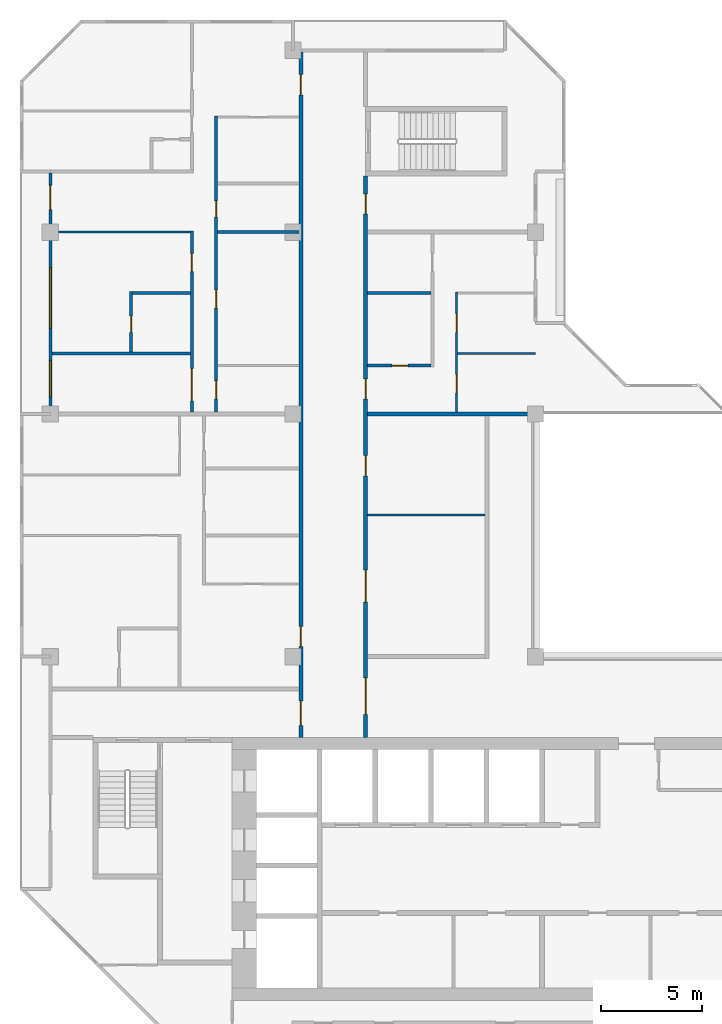
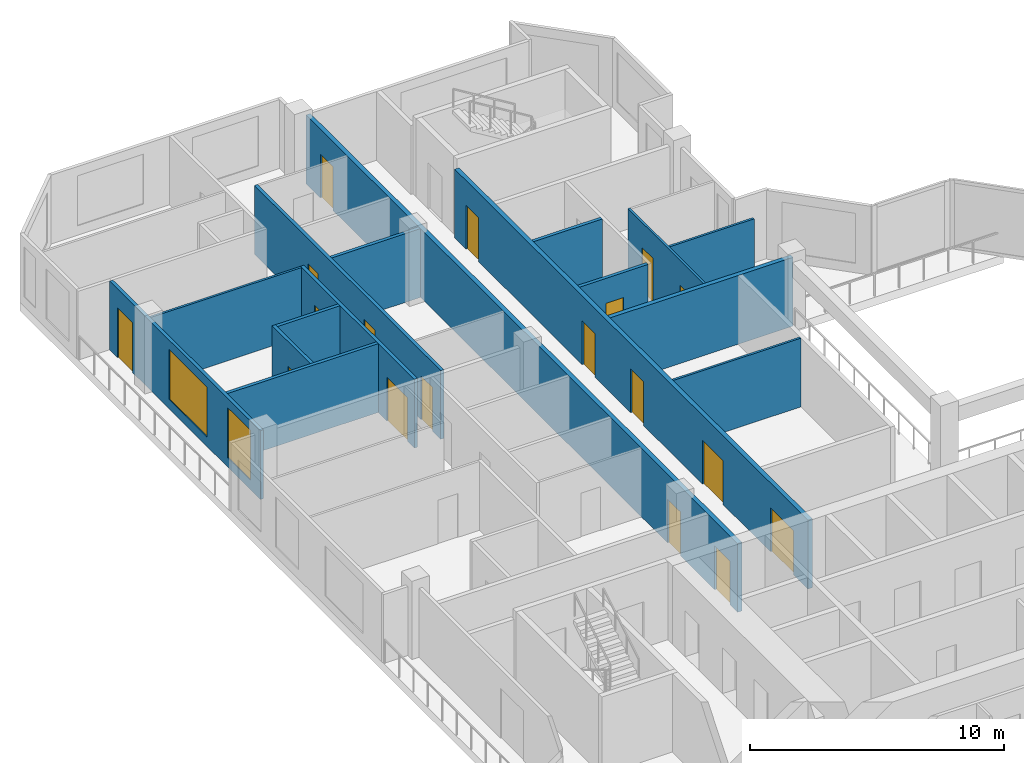
# One storey, part 9 of 13: 18 doors, 16 walls, 2 windows, 20 openings.
"""IFC4 building model written with IfcOpenShell, lengths in metres."""

from ifc_helpers import new_model, si_unit, direction, frame, frame_2d, origin, place, context, subcontext, project, spatial, rectangle, extrude, material, layer, layer_set, type_object, element, fill, save


model = new_model("IFC4")

# Units and contexts
model_context = context("Model", 3, precision=1e-05, world=origin(), true_north=direction((0.0, 1.0)))
body_context = subcontext(model_context, "Body", "Model", "MODEL_VIEW")
ifc_project = project(units=[si_unit("LENGTHUNIT", "METRE"), si_unit("AREAUNIT", "SQUARE_METRE"), si_unit("VOLUMEUNIT", "CUBIC_METRE"), si_unit("PLANEANGLEUNIT", "RADIAN"), si_unit("MASSUNIT", "GRAM", prefix="KILO")], contexts=[model_context])

# Site, building, storey
site_placement = place(None, origin())
site = spatial("IfcSite", under=ifc_project, at=site_placement, CompositionType="ELEMENT")
building_placement = place(site_placement, origin())
building = spatial("IfcBuilding", under=site, at=building_placement, Name="Chenar Terraces", CompositionType="ELEMENT")
storey_placement = place(building_placement, frame((0.0, 0.0, 318.39990234375)))
storey = spatial("IfcBuildingStorey", under=building, at=storey_placement, Name="L75", CompositionType="ELEMENT", Elevation=318.39990234375)

# Wall, openings, doors
ifc_material_1 = material(Name="Gypsum board on steel studs with fire boards", Category="steel")
ifc_layer_1 = layer(ifc_material_1, 0.199951171875)
ifc_layer_set_1 = layer_set([ifc_layer_1], Name="Gypsum board on steel studs with fire boards")
wall_type_1 = type_object("IfcWallType", Name="Corridor wall 200", PredefinedType="PARTITIONING", material=ifc_layer_set_1)
wall_1_placement = place(storey_placement, frame((12.39990234375, 20.0, 0.0), z_axis=(0.0, 0.0, 1.0), x_axis=(0.0, 1.0, 0.0)))
wall_1 = element("IfcWall", 1, at=wall_1_placement, inside=storey, type_object=wall_type_1, Name="Partition L75-034", PredefinedType="PARTITIONING", context=body_context, shape_type="SweptSolid", body=[
    extrude(rectangle(XDim=33.926025390625, YDim=0.199951171875, at=frame_2d((16.962890625, 0.0))), origin(), (0.0, 0.0, 1.0), 3.300048828125),
])
opening_1_placement = place(wall_1_placement, frame((31.800048828125, 0.0, 0.0)))
opening_1 = element("IfcOpeningElement", 2, at=opening_1_placement, cuts=wall_1, Name="Opening DL75-23", PredefinedType="OPENING", context=body_context, shape_type="SweptSolid", body=[
    extrude(rectangle(XDim=1.0, YDim=2.10009765625, at=frame_2d((0.5, 1.050048828125))), frame((0.0, 0.10986328125, 0.0), z_axis=(0.0, -1.0, 0.0), x_axis=(1.0, 0.0, 0.0)), (0.0, 0.0, 1.0), 0.219970703125),
])
opening_2_placement = place(wall_1_placement, frame((0.60009765625, 0.0, 0.0)))
opening_2 = element("IfcOpeningElement", 3, at=opening_2_placement, cuts=wall_1, Name="Opening DL75-31", PredefinedType="OPENING", context=body_context, shape_type="SweptSolid", body=[
    extrude(rectangle(XDim=1.199951171875, YDim=2.10009765625, at=frame_2d((0.60009765625, 1.050048828125))), frame((0.0, 0.10986328125, 0.0), z_axis=(0.0, -1.0, 0.0), x_axis=(1.0, 0.0, 0.0)), (0.0, 0.0, 1.0), 0.219970703125),
])
opening_3_placement = place(wall_1_placement, frame((4.5, 0.0, 0.0)))
opening_3 = element("IfcOpeningElement", 4, at=opening_3_placement, cuts=wall_1, Name="Opening DL75-55", PredefinedType="OPENING", context=body_context, shape_type="SweptSolid", body=[
    extrude(rectangle(XDim=1.0, YDim=2.10009765625, at=frame_2d((0.5, 1.050048828125))), frame((0.0, 0.10986328125, 0.0), z_axis=(0.0, -1.0, 0.0), x_axis=(1.0, 0.0, 0.0)), (0.0, 0.0, 1.0), 0.219970703125),
])
ifc_material_2 = material(Name="Steel-framed fire-resisting door leaf", Category="steel")
door_type_1 = type_object("IfcDoorType", Name="Fire door FD30S 1000 x 2100", OperationType="SINGLE_SWING_LEFT", PredefinedType="DOOR", material=ifc_material_2)
door_1_placement = place(opening_1_placement, origin())
door_1 = element("IfcDoor", 5, at=door_1_placement, inside=storey, type_object=door_type_1, Name="Door DL75-23", OperationType="SINGLE_SWING_RIGHT", OverallHeight=2.10009765625, OverallWidth=1.0, PredefinedType="DOOR", context=body_context, shape_type="SweptSolid", body=[
    extrude(rectangle(XDim=1.0, YDim=2.10009765625, at=frame_2d((0.5, 1.050048828125))), frame((0.0, 0.02490234375, 0.0), z_axis=(0.0, -1.0, 0.0), x_axis=(1.0, 0.0, 0.0)), (0.0, 0.0, 1.0), 0.050048828125),
])
fill(opening_1, door_1)
door_2_placement = place(opening_3_placement, origin())
door_2 = element("IfcDoor", 6, at=door_2_placement, inside=storey, type_object=door_type_1, Name="Door DL75-55", OperationType="SINGLE_SWING_LEFT", OverallHeight=2.10009765625, OverallWidth=1.0, PredefinedType="DOOR", context=body_context, shape_type="SweptSolid", body=[
    extrude(rectangle(XDim=1.0, YDim=2.10009765625, at=frame_2d((0.5, 1.050048828125))), frame((0.0, 0.02490234375, 0.0), z_axis=(0.0, -1.0, 0.0), x_axis=(1.0, 0.0, 0.0)), (0.0, 0.0, 1.0), 0.050048828125),
])
fill(opening_3, door_2)
ifc_material_3 = material(Name="Steel-framed fire-resisting door leaf", Category="steel")
door_type_2 = type_object("IfcDoorType", Name="Fire door FD30S 1200 x 2100", OperationType="SINGLE_SWING_LEFT", PredefinedType="DOOR", material=ifc_material_3)
door_3_placement = place(opening_2_placement, origin())
door_3 = element("IfcDoor", 7, at=door_3_placement, inside=storey, type_object=door_type_2, Name="Door DL75-31", OperationType="SINGLE_SWING_RIGHT", OverallHeight=2.10009765625, OverallWidth=1.199951171875, PredefinedType="DOOR", context=body_context, shape_type="SweptSolid", body=[
    extrude(rectangle(XDim=1.199951171875, YDim=2.10009765625, at=frame_2d((0.60009765625, 1.050048828125))), frame((0.0, 0.02490234375, 0.0), z_axis=(0.0, -1.0, 0.0), x_axis=(1.0, 0.0, 0.0)), (0.0, 0.0, 1.0), 0.050048828125),
])
fill(opening_2, door_3)

wall_2_placement = place(storey_placement, frame((15.60009765625, 20.0, 0.0), z_axis=(0.0, 0.0, 1.0), x_axis=(0.0, 1.0, 0.0)))
wall_2 = element("IfcWall", 8, at=wall_2_placement, inside=storey, type_object=wall_type_1, Name="Partition L75-036", PredefinedType="PARTITIONING", context=body_context, shape_type="SweptSolid", body=[
    extrude(rectangle(XDim=27.77490234375, YDim=0.199951171875, at=frame_2d((13.887451171875, 0.0))), origin(), (0.0, 0.0, 1.0), 3.300048828125),
])
opening_4_placement = place(wall_2_placement, frame((6.699951171875, 0.0, 0.0)))
opening_4 = element("IfcOpeningElement", 9, at=opening_4_placement, cuts=wall_2, Name="Opening DL75-1", PredefinedType="OPENING", context=body_context, shape_type="SweptSolid", body=[
    extrude(rectangle(XDim=1.60009765625, YDim=2.10009765625, at=frame_2d((0.800048828125, 1.050048828125))), frame((0.0, 0.10986328125, 0.0), z_axis=(0.0, -1.0, 0.0), x_axis=(1.0, 0.0, 0.0)), (0.0, 0.0, 1.0), 0.219970703125),
])
opening_5_placement = place(wall_2_placement, frame((12.949951171875, 0.0, 0.0)))
opening_5 = element("IfcOpeningElement", 10, at=opening_5_placement, cuts=wall_2, Name="Opening DL75-2", PredefinedType="OPENING", context=body_context, shape_type="SweptSolid", body=[
    extrude(rectangle(XDim=1.0, YDim=2.10009765625, at=frame_2d((0.5, 1.050048828125))), frame((0.0, 0.10986328125, 0.0), z_axis=(0.0, -1.0, 0.0), x_axis=(1.0, 0.0, 0.0)), (0.0, 0.0, 1.0), 0.219970703125),
])
opening_6_placement = place(wall_2_placement, frame((16.75, 0.0, 0.0)))
opening_6 = element("IfcOpeningElement", 11, at=opening_6_placement, cuts=wall_2, Name="Opening DL75-17", PredefinedType="OPENING", context=body_context, shape_type="SweptSolid", body=[
    extrude(rectangle(XDim=1.0, YDim=2.10009765625, at=frame_2d((0.5, 1.050048828125))), frame((0.0, 0.10986328125, 0.0), z_axis=(0.0, -1.0, 0.0), x_axis=(1.0, 0.0, 0.0)), (0.0, 0.0, 1.0), 0.219970703125),
])
opening_7_placement = place(wall_2_placement, frame((1.14990234375, 0.0, 0.0)))
opening_7 = element("IfcOpeningElement", 12, at=opening_7_placement, cuts=wall_2, Name="Opening DL75-30", PredefinedType="OPENING", context=body_context, shape_type="SweptSolid", body=[
    extrude(rectangle(XDim=1.800048828125, YDim=2.10009765625, at=frame_2d((0.89990234375, 1.050048828125))), frame((0.0, 0.10986328125, 0.0), z_axis=(0.0, -1.0, 0.0), x_axis=(1.0, 0.0, 0.0)), (0.0, 0.0, 1.0), 0.219970703125),
])
opening_8_placement = place(wall_2_placement, frame((25.89990234375, 0.0, 0.0)))
opening_8 = element("IfcOpeningElement", 13, at=opening_8_placement, cuts=wall_2, Name="Opening DL75-33", PredefinedType="OPENING", context=body_context, shape_type="SweptSolid", body=[
    extrude(rectangle(XDim=1.0, YDim=2.10009765625, at=frame_2d((0.5, 1.050048828125))), frame((0.0, 0.10986328125, 0.0), z_axis=(0.0, -1.0, 0.0), x_axis=(1.0, 0.0, 0.0)), (0.0, 0.0, 1.0), 0.219970703125),
])
ifc_material_4 = material(Name="Steel-framed fire-resisting door leaf", Category="steel")
door_type_3 = type_object("IfcDoorType", Name="Fire door FD60 1000 x 2100", OperationType="SINGLE_SWING_LEFT", PredefinedType="DOOR", material=ifc_material_4)
door_4_placement = place(opening_5_placement, frame((1.0, 0.0, 0.0), z_axis=(0.0, 0.0, 1.0), x_axis=(-1.0, 0.0, 0.0)))
door_4 = element("IfcDoor", 14, at=door_4_placement, inside=storey, type_object=door_type_3, Name="Door DL75-2", OperationType="SINGLE_SWING_LEFT", OverallHeight=2.10009765625, OverallWidth=1.0, PredefinedType="DOOR", context=body_context, shape_type="SweptSolid", body=[
    extrude(rectangle(XDim=1.0, YDim=2.10009765625, at=frame_2d((0.5, 1.050048828125))), frame((0.0, 0.02490234375, 0.0), z_axis=(0.0, -1.0, 0.0), x_axis=(1.0, 0.0, 0.0)), (0.0, 0.0, 1.0), 0.050048828125),
])
fill(opening_5, door_4)
door_5_placement = place(opening_6_placement, frame((1.0, 0.0, 0.0), z_axis=(0.0, 0.0, 1.0), x_axis=(-1.0, 0.0, 0.0)))
door_5 = element("IfcDoor", 15, at=door_5_placement, inside=storey, type_object=door_type_3, Name="Door DL75-17", OperationType="SINGLE_SWING_LEFT", OverallHeight=2.10009765625, OverallWidth=1.0, PredefinedType="DOOR", context=body_context, shape_type="SweptSolid", body=[
    extrude(rectangle(XDim=1.0, YDim=2.10009765625, at=frame_2d((0.5, 1.050048828125))), frame((0.0, 0.02490234375, 0.0), z_axis=(0.0, -1.0, 0.0), x_axis=(1.0, 0.0, 0.0)), (0.0, 0.0, 1.0), 0.050048828125),
])
fill(opening_6, door_5)
door_6_placement = place(opening_8_placement, frame((1.0, 0.0, 0.0), z_axis=(0.0, 0.0, 1.0), x_axis=(-1.0, 0.0, 0.0)))
door_6 = element("IfcDoor", 16, at=door_6_placement, inside=storey, type_object=door_type_3, Name="Door DL75-33", OperationType="SINGLE_SWING_RIGHT", OverallHeight=2.10009765625, OverallWidth=1.0, PredefinedType="DOOR", context=body_context, shape_type="SweptSolid", body=[
    extrude(rectangle(XDim=1.0, YDim=2.10009765625, at=frame_2d((0.5, 1.050048828125))), frame((0.0, 0.02490234375, 0.0), z_axis=(0.0, -1.0, 0.0), x_axis=(1.0, 0.0, 0.0)), (0.0, 0.0, 1.0), 0.050048828125),
])
fill(opening_8, door_6)
ifc_material_5 = material(Name="Steel-framed fire-resisting door leaf", Category="steel")
door_type_4 = type_object("IfcDoorType", Name="Fire double door FD60 1600 x 2100", OperationType="DOUBLE_DOOR_SINGLE_SWING", PredefinedType="DOOR", material=ifc_material_5)
door_7_placement = place(opening_4_placement, frame((1.60009765625, 0.0, 0.0), z_axis=(0.0, 0.0, 1.0), x_axis=(-1.0, 0.0, 0.0)))
door_7 = element("IfcDoor", 17, at=door_7_placement, inside=storey, type_object=door_type_4, Name="Door DL75-1", OperationType="DOUBLE_DOOR_SINGLE_SWING", OverallHeight=2.10009765625, OverallWidth=1.60009765625, PredefinedType="DOOR", context=body_context, shape_type="SweptSolid", body=[
    extrude(rectangle(XDim=1.60009765625, YDim=2.10009765625, at=frame_2d((0.800048828125, 1.050048828125))), frame((0.0, 0.02490234375, 0.0), z_axis=(0.0, -1.0, 0.0), x_axis=(1.0, 0.0, 0.0)), (0.0, 0.0, 1.0), 0.050048828125),
])
fill(opening_4, door_7)
ifc_material_6 = material(Name="Steel-framed fire-resisting door leaf", Category="steel")
door_type_5 = type_object("IfcDoorType", Name="Fire double door FD60 1800 x 2100", OperationType="DOUBLE_DOOR_SINGLE_SWING", PredefinedType="DOOR", material=ifc_material_6)
door_8_placement = place(opening_7_placement, frame((1.800048828125, 0.0, 0.0), z_axis=(0.0, 0.0, 1.0), x_axis=(-1.0, 0.0, 0.0)))
door_8 = element("IfcDoor", 18, at=door_8_placement, inside=storey, type_object=door_type_5, Name="Door DL75-30", OperationType="DOUBLE_DOOR_SINGLE_SWING", OverallHeight=2.10009765625, OverallWidth=1.800048828125, PredefinedType="DOOR", context=body_context, shape_type="SweptSolid", body=[
    extrude(rectangle(XDim=1.800048828125, YDim=2.10009765625, at=frame_2d((0.89990234375, 1.050048828125))), frame((0.0, 0.02490234375, 0.0), z_axis=(0.0, -1.0, 0.0), x_axis=(1.0, 0.0, 0.0)), (0.0, 0.0, 1.0), 0.050048828125),
])
fill(opening_7, door_8)

# Wall, openings, windows, door
ifc_material_7 = material(Name="Aluminium framed glazing", Category="aluminium")
ifc_layer_2 = layer(ifc_material_7, 0.14990234375)
ifc_layer_set_2 = layer_set([ifc_layer_2], Name="Aluminium framed glazing")
wall_type_2 = type_object("IfcWallType", Name="Glazed loggia back wall 150", PredefinedType="SOLIDWALL", material=ifc_layer_set_2)
wall_3_placement = place(storey_placement, frame((0.0, 47.925048828125, 0.0), z_axis=(0.0, 0.0, 1.0), x_axis=(0.0, -1.0, 0.0)))
wall_3 = element("IfcWall", 19, at=wall_3_placement, inside=storey, type_object=wall_type_2, Name="Glazed loggia back wall", PredefinedType="SOLIDWALL", context=body_context, shape_type="SweptSolid", body=[
    extrude(rectangle(XDim=11.85009765625, YDim=0.14990234375, at=frame_2d((5.925048828125, 0.0))), origin(), (0.0, 0.0, 1.0), 3.300048828125),
])
opening_9_placement = place(wall_3_placement, frame((0.612548828125, 0.0, 0.0)))
opening_9 = element("IfcOpeningElement", 20, at=opening_9_placement, cuts=wall_3, Name="Opening DL75-G2", PredefinedType="OPENING", context=body_context, shape_type="SweptSolid", body=[
    extrude(rectangle(XDim=1.199951171875, YDim=2.39990234375, at=frame_2d((0.60009765625, 1.199951171875))), frame((0.0, 0.0849609375, 0.0), z_axis=(0.0, -1.0, 0.0), x_axis=(1.0, 0.0, 0.0)), (0.0, 0.0, 1.0), 0.169921875),
])
opening_10_placement = place(wall_3_placement, frame((4.675048828125, 0.0, 0.449951171875)))
opening_10 = element("IfcOpeningElement", 21, at=opening_10_placement, cuts=wall_3, Name="Opening W300x240", PredefinedType="OPENING", context=body_context, shape_type="SweptSolid", body=[
    extrude(rectangle(XDim=3.0, YDim=2.39990234375, at=frame_2d((1.5, 1.199951171875))), frame((0.0, 0.0849609375, 0.0), z_axis=(0.0, -1.0, 0.0), x_axis=(1.0, 0.0, 0.0)), (0.0, 0.0, 1.0), 0.169921875),
])
opening_11_placement = place(wall_3_placement, frame((9.27490234375, 0.0, 0.449951171875)))
opening_11 = element("IfcOpeningElement", 22, at=opening_11_placement, cuts=wall_3, Name="Opening W180x240", PredefinedType="OPENING", context=body_context, shape_type="SweptSolid", body=[
    extrude(rectangle(XDim=1.800048828125, YDim=2.39990234375, at=frame_2d((0.89990234375, 1.199951171875))), frame((0.0, 0.0849609375, 0.0), z_axis=(0.0, -1.0, 0.0), x_axis=(1.0, 0.0, 0.0)), (0.0, 0.0, 1.0), 0.169921875),
])
ifc_material_8 = material(Name="Low emissivity double glazing, aluminium frame", Category="aluminium")
window_type_1 = type_object("IfcWindowType", Name="Fixed light 1800 x 2400", PartitioningType="SINGLE_PANEL", PredefinedType="WINDOW", material=ifc_material_8)
window_1_placement = place(opening_11_placement, origin())
window_1 = element("IfcWindow", 23, at=window_1_placement, inside=storey, type_object=window_type_1, Name="Window", OverallHeight=2.39990234375, OverallWidth=1.800048828125, PartitioningType="SINGLE_PANEL", PredefinedType="WINDOW", context=body_context, shape_type="SweptSolid", body=[
    extrude(rectangle(XDim=1.800048828125, YDim=2.39990234375, at=frame_2d((0.89990234375, 1.199951171875))), frame((0.0, 0.030029296875, 0.0), z_axis=(0.0, -1.0, 0.0), x_axis=(1.0, 0.0, 0.0)), (0.0, 0.0, 1.0), 0.06005859375),
])
fill(opening_11, window_1)
ifc_material_9 = material(Name="Low emissivity double glazing, aluminium frame", Category="aluminium")
window_type_2 = type_object("IfcWindowType", Name="Fixed light 3000 x 2400", PartitioningType="SINGLE_PANEL", PredefinedType="WINDOW", material=ifc_material_9)
window_2_placement = place(opening_10_placement, origin())
window_2 = element("IfcWindow", 24, at=window_2_placement, inside=storey, type_object=window_type_2, Name="Window", OverallHeight=2.39990234375, OverallWidth=3.0, PartitioningType="SINGLE_PANEL", PredefinedType="WINDOW", context=body_context, shape_type="SweptSolid", body=[
    extrude(rectangle(XDim=3.0, YDim=2.39990234375, at=frame_2d((1.5, 1.199951171875))), frame((0.0, 0.030029296875, 0.0), z_axis=(0.0, -1.0, 0.0), x_axis=(1.0, 0.0, 0.0)), (0.0, 0.0, 1.0), 0.06005859375),
])
fill(opening_10, window_2)
ifc_material_10 = material(Name="Low emissivity double glazing, aluminium frame", Category="aluminium")
door_type_6 = type_object("IfcDoorType", Name="Loggia glazed double door 1200 x 2400", OperationType="DOUBLE_DOOR_SINGLE_SWING", PredefinedType="DOOR", material=ifc_material_10)
door_9_placement = place(opening_9_placement, frame((1.199951171875, 0.0, 0.0), z_axis=(0.0, 0.0, 1.0), x_axis=(-1.0, 0.0, 0.0)))
door_9 = element("IfcDoor", 25, at=door_9_placement, inside=storey, type_object=door_type_6, Name="Loggia glazed door", OperationType="DOUBLE_DOOR_SINGLE_SWING", OverallHeight=2.39990234375, OverallWidth=1.199951171875, PredefinedType="DOOR", context=body_context, shape_type="SweptSolid", body=[
    extrude(rectangle(XDim=1.199951171875, YDim=2.39990234375, at=frame_2d((0.60009765625, 1.199951171875))), frame((0.0, 0.02490234375, 0.0), z_axis=(0.0, -1.0, 0.0), x_axis=(1.0, 0.0, 0.0)), (0.0, 0.0, 1.0), 0.050048828125),
])
fill(opening_9, door_9)

# Walls
ifc_material_11 = material(Name="Gypsum board on steel studs", Category="steel")
ifc_layer_3 = layer(ifc_material_11, 0.10009765625)
ifc_layer_set_3 = layer_set([ifc_layer_3], Name="Gypsum board on steel studs")
wall_type_3 = type_object("IfcWallType", Name="Gypsum partition 100", PredefinedType="PARTITIONING", material=ifc_layer_set_3)
wall_4_placement = place(storey_placement, frame((0.073974609375, 45.0, 0.0), z_axis=(0.0, 0.0, 1.0), x_axis=(1.0, 0.0, 0.0)))
element("IfcWall", 26, at=wall_4_placement, inside=storey, type_object=wall_type_3, Name="Partition L75-009", PredefinedType="PARTITIONING", context=body_context, shape_type="SweptSolid", body=[
    extrude(rectangle(XDim=6.85107421875, YDim=0.10009765625, at=frame_2d((3.425537109375, 0.0))), origin(), (0.0, 0.0, 1.0), 3.300048828125),
])
wall_5_placement = place(storey_placement, frame((15.699951171875, 31.0, 0.0), z_axis=(0.0, 0.0, 1.0), x_axis=(1.0, 0.0, 0.0)))
element("IfcWall", 27, at=wall_5_placement, inside=storey, type_object=wall_type_3, Name="Partition L75-039", PredefinedType="PARTITIONING", context=body_context, shape_type="SweptSolid", body=[
    extrude(rectangle(XDim=5.800048828125, YDim=0.10009765625, at=frame_2d((2.89990234375, 0.0))), origin(), (0.0, 0.0, 1.0), 3.300048828125),
])

# Wall, openings, doors
wall_6_placement = place(storey_placement, frame((20.10009765625, 36.10009765625, 0.0), z_axis=(0.0, 0.0, 1.0), x_axis=(0.0, 1.0, 0.0)))
wall_6 = element("IfcWall", 28, at=wall_6_placement, inside=storey, type_object=wall_type_3, Name="Partition L75-047", PredefinedType="PARTITIONING", context=body_context, shape_type="SweptSolid", body=[
    extrude(rectangle(XDim=5.949951171875, YDim=0.10009765625, at=frame_2d((2.97509765625, 0.0))), origin(), (0.0, 0.0, 1.0), 3.300048828125),
])
opening_12_placement = place(wall_6_placement, frame((0.949951171875, 0.0, 0.0)))
opening_12 = element("IfcOpeningElement", 29, at=opening_12_placement, cuts=wall_6, Name="Opening DL75-14", PredefinedType="OPENING", context=body_context, shape_type="SweptSolid", body=[
    extrude(rectangle(XDim=0.89990234375, YDim=2.10009765625, at=frame_2d((0.449951171875, 1.050048828125))), frame((0.0, 0.06005859375, 0.0), z_axis=(0.0, -1.0, 0.0), x_axis=(1.0, 0.0, 0.0)), (0.0, 0.0, 1.0), 0.1201171875),
])
opening_13_placement = place(wall_6_placement, frame((3.949951171875, 0.0, 0.0)))
opening_13 = element("IfcOpeningElement", 30, at=opening_13_placement, cuts=wall_6, Name="Opening DL75-15", PredefinedType="OPENING", context=body_context, shape_type="SweptSolid", body=[
    extrude(rectangle(XDim=0.89990234375, YDim=2.10009765625, at=frame_2d((0.449951171875, 1.050048828125))), frame((0.0, 0.06005859375, 0.0), z_axis=(0.0, -1.0, 0.0), x_axis=(1.0, 0.0, 0.0)), (0.0, 0.0, 1.0), 0.1201171875),
])
ifc_material_12 = material(Name="Veneered timber door leaf", Category="wood")
door_type_7 = type_object("IfcDoorType", Name="Door 900 x 2100", OperationType="SINGLE_SWING_LEFT", PredefinedType="DOOR", material=ifc_material_12)
door_10_placement = place(opening_12_placement, frame((0.89990234375, 0.0, 0.0), z_axis=(0.0, 0.0, 1.0), x_axis=(-1.0, 0.0, 0.0)))
door_10 = element("IfcDoor", 31, at=door_10_placement, inside=storey, type_object=door_type_7, Name="Door DL75-14", OperationType="SINGLE_SWING_LEFT", OverallHeight=2.10009765625, OverallWidth=0.89990234375, PredefinedType="DOOR", context=body_context, shape_type="SweptSolid", body=[
    extrude(rectangle(XDim=0.89990234375, YDim=2.10009765625, at=frame_2d((0.449951171875, 1.050048828125))), frame((0.0, 0.02490234375, 0.0), z_axis=(0.0, -1.0, 0.0), x_axis=(1.0, 0.0, 0.0)), (0.0, 0.0, 1.0), 0.050048828125),
])
fill(opening_12, door_10)
door_11_placement = place(opening_13_placement, frame((0.89990234375, 0.0, 0.0), z_axis=(0.0, 0.0, 1.0), x_axis=(-1.0, 0.0, 0.0)))
door_11 = element("IfcDoor", 32, at=door_11_placement, inside=storey, type_object=door_type_7, Name="Door DL75-15", OperationType="SINGLE_SWING_LEFT", OverallHeight=2.10009765625, OverallWidth=0.89990234375, PredefinedType="DOOR", context=body_context, shape_type="SweptSolid", body=[
    extrude(rectangle(XDim=0.89990234375, YDim=2.10009765625, at=frame_2d((0.449951171875, 1.050048828125))), frame((0.0, 0.02490234375, 0.0), z_axis=(0.0, -1.0, 0.0), x_axis=(1.0, 0.0, 0.0)), (0.0, 0.0, 1.0), 0.050048828125),
])
fill(opening_13, door_11)

# Walls
wall_7_placement = place(storey_placement, frame((20.14990234375, 39.0, 0.0), z_axis=(0.0, 0.0, 1.0), x_axis=(1.0, 0.0, 0.0)))
element("IfcWall", 33, at=wall_7_placement, inside=storey, type_object=wall_type_3, Name="Partition L75-048", PredefinedType="PARTITIONING", context=body_context, shape_type="SweptSolid", body=[
    extrude(rectangle(XDim=3.85009765625, YDim=0.10009765625, at=frame_2d((1.925048828125, 0.0))), origin(), (0.0, 0.0, 1.0), 3.300048828125),
])
ifc_material_13 = material(Name="Twin gypsum board on steel studs with mineral wool", Category="steel")
ifc_layer_4 = layer(ifc_material_13, 0.199951171875)
ifc_layer_set_4 = layer_set([ifc_layer_4], Name="Twin gypsum board on steel studs with mineral wool")
wall_type_4 = type_object("IfcWallType", Name="Unit demising wall 200", PredefinedType="PARTITIONING", material=ifc_layer_set_4)
wall_8_placement = place(storey_placement, frame((15.699951171875, 36.0, 0.0), z_axis=(0.0, 0.0, 1.0), x_axis=(1.0, 0.0, 0.0)))
element("IfcWall", 34, at=wall_8_placement, inside=storey, type_object=wall_type_4, Name="Partition L75-040", PredefinedType="PARTITIONING", context=body_context, shape_type="SweptSolid", body=[
    extrude(rectangle(XDim=8.300048828125, YDim=0.199951171875, at=frame_2d((4.14990234375, 0.0))), origin(), (0.0, 0.0, 1.0), 3.300048828125),
])
ifc_material_14 = material(Name="Moisture-resistant gypsum board on steel studs", Category="steel")
ifc_layer_5 = layer(ifc_material_14, 0.14990234375)
ifc_layer_set_5 = layer_set([ifc_layer_5], Name="Moisture-resistant gypsum board on steel studs")
wall_type_5 = type_object("IfcWallType", Name="Wet-room partition 150", PredefinedType="PARTITIONING", material=ifc_layer_set_5)
wall_9_placement = place(storey_placement, frame((0.073974609375, 39.0, 0.0), z_axis=(0.0, 0.0, 1.0), x_axis=(1.0, 0.0, 0.0)))
element("IfcWall", 35, at=wall_9_placement, inside=storey, type_object=wall_type_5, Name="Partition L75-008", PredefinedType="PARTITIONING", context=body_context, shape_type="SweptSolid", body=[
    extrude(rectangle(XDim=6.85107421875, YDim=0.14990234375, at=frame_2d((3.425537109375, 0.0))), origin(), (0.0, 0.0, 1.0), 3.300048828125),
])

# Wall, opening, door
wall_10_placement = place(storey_placement, frame((4.0, 39.074951171875, 0.0), z_axis=(0.0, 0.0, 1.0), x_axis=(0.0, 1.0, 0.0)))
wall_10 = element("IfcWall", 36, at=wall_10_placement, inside=storey, type_object=wall_type_5, Name="Partition L75-013", PredefinedType="PARTITIONING", context=body_context, shape_type="SweptSolid", body=[
    extrude(rectangle(XDim=3.0, YDim=0.14990234375, at=frame_2d((1.5, 0.0))), origin(), (0.0, 0.0, 1.0), 3.300048828125),
])
opening_14_placement = place(wall_10_placement, frame((0.97509765625, 0.0, 0.0)))
opening_14 = element("IfcOpeningElement", 37, at=opening_14_placement, cuts=wall_10, Name="Opening DL75-21", PredefinedType="OPENING", context=body_context, shape_type="SweptSolid", body=[
    extrude(rectangle(XDim=0.800048828125, YDim=2.10009765625, at=frame_2d((0.39990234375, 1.050048828125))), frame((0.0, 0.0849609375, 0.0), z_axis=(0.0, -1.0, 0.0), x_axis=(1.0, 0.0, 0.0)), (0.0, 0.0, 1.0), 0.169921875),
])
ifc_material_15 = material(Name="Veneered timber door leaf", Category="wood")
door_type_8 = type_object("IfcDoorType", Name="Door 800 x 2100", OperationType="SINGLE_SWING_LEFT", PredefinedType="DOOR", material=ifc_material_15)
door_12_placement = place(opening_14_placement, frame((0.800048828125, 0.0, 0.0), z_axis=(0.0, 0.0, 1.0), x_axis=(-1.0, 0.0, 0.0)))
door_12 = element("IfcDoor", 38, at=door_12_placement, inside=storey, type_object=door_type_8, Name="Door DL75-21", OperationType="SINGLE_SWING_RIGHT", OverallHeight=2.10009765625, OverallWidth=0.800048828125, PredefinedType="DOOR", context=body_context, shape_type="SweptSolid", body=[
    extrude(rectangle(XDim=0.800048828125, YDim=2.10009765625, at=frame_2d((0.39990234375, 1.050048828125))), frame((0.0, 0.02490234375, 0.0), z_axis=(0.0, -1.0, 0.0), x_axis=(1.0, 0.0, 0.0)), (0.0, 0.0, 1.0), 0.050048828125),
])
fill(opening_14, door_12)

# Wall
wall_11_placement = place(storey_placement, frame((4.074951171875, 42.0, 0.0), z_axis=(0.0, 0.0, 1.0), x_axis=(1.0, 0.0, 0.0)))
element("IfcWall", 39, at=wall_11_placement, inside=storey, type_object=wall_type_5, Name="Partition L75-014", PredefinedType="PARTITIONING", context=body_context, shape_type="SweptSolid", body=[
    extrude(rectangle(XDim=2.85009765625, YDim=0.14990234375, at=frame_2d((1.425048828125, 0.0))), origin(), (0.0, 0.0, 1.0), 3.300048828125),
])

# Wall, openings, doors
wall_12_placement = place(storey_placement, frame((7.0, 36.10009765625, 0.0), z_axis=(0.0, 0.0, 1.0), x_axis=(0.0, 1.0, 0.0)))
wall_12 = element("IfcWall", 40, at=wall_12_placement, inside=storey, type_object=wall_type_5, Name="Partition L75-019", PredefinedType="PARTITIONING", context=body_context, shape_type="SweptSolid", body=[
    extrude(rectangle(XDim=8.949951171875, YDim=0.14990234375, at=frame_2d((4.47509765625, 0.0))), origin(), (0.0, 0.0, 1.0), 3.300048828125),
])
opening_15_placement = place(wall_12_placement, frame((6.949951171875, 0.0, 0.0)))
opening_15 = element("IfcOpeningElement", 41, at=opening_15_placement, cuts=wall_12, Name="Opening DL75-20", PredefinedType="OPENING", context=body_context, shape_type="SweptSolid", body=[
    extrude(rectangle(XDim=0.89990234375, YDim=2.10009765625, at=frame_2d((0.449951171875, 1.050048828125))), frame((0.0, 0.0849609375, 0.0), z_axis=(0.0, -1.0, 0.0), x_axis=(1.0, 0.0, 0.0)), (0.0, 0.0, 1.0), 0.169921875),
])
opening_16_placement = place(wall_12_placement, frame((0.550048828125, 0.0, 0.0)))
opening_16 = element("IfcOpeningElement", 42, at=opening_16_placement, cuts=wall_12, Name="Opening DL75-26", PredefinedType="OPENING", context=body_context, shape_type="SweptSolid", body=[
    extrude(rectangle(XDim=1.60009765625, YDim=2.10009765625, at=frame_2d((0.800048828125, 1.050048828125))), frame((0.0, 0.0849609375, 0.0), z_axis=(0.0, -1.0, 0.0), x_axis=(1.0, 0.0, 0.0)), (0.0, 0.0, 1.0), 0.169921875),
])
door_13_placement = place(opening_15_placement, origin())
door_13 = element("IfcDoor", 43, at=door_13_placement, inside=storey, type_object=door_type_7, Name="Door DL75-20", OperationType="SINGLE_SWING_RIGHT", OverallHeight=2.10009765625, OverallWidth=0.89990234375, PredefinedType="DOOR", context=body_context, shape_type="SweptSolid", body=[
    extrude(rectangle(XDim=0.89990234375, YDim=2.10009765625, at=frame_2d((0.449951171875, 1.050048828125))), frame((0.0, 0.02490234375, 0.0), z_axis=(0.0, -1.0, 0.0), x_axis=(1.0, 0.0, 0.0)), (0.0, 0.0, 1.0), 0.050048828125),
])
fill(opening_15, door_13)
ifc_material_16 = material(Name="Veneered timber door leaf", Category="wood")
door_type_9 = type_object("IfcDoorType", Name="Double door 1600 x 2100", OperationType="DOUBLE_DOOR_SINGLE_SWING", PredefinedType="DOOR", material=ifc_material_16)
door_14_placement = place(opening_16_placement, origin())
door_14 = element("IfcDoor", 44, at=door_14_placement, inside=storey, type_object=door_type_9, Name="Door DL75-26", OperationType="DOUBLE_DOOR_SINGLE_SWING", OverallHeight=2.10009765625, OverallWidth=1.60009765625, PredefinedType="DOOR", context=body_context, shape_type="SweptSolid", body=[
    extrude(rectangle(XDim=1.60009765625, YDim=2.10009765625, at=frame_2d((0.800048828125, 1.050048828125))), frame((0.0, 0.02490234375, 0.0), z_axis=(0.0, -1.0, 0.0), x_axis=(1.0, 0.0, 0.0)), (0.0, 0.0, 1.0), 0.050048828125),
])
fill(opening_16, door_14)

wall_13_placement = place(storey_placement, frame((8.199951171875, 36.10009765625, 0.0), z_axis=(0.0, 0.0, 1.0), x_axis=(0.0, 1.0, 0.0)))
wall_13 = element("IfcWall", 45, at=wall_13_placement, inside=storey, type_object=wall_type_5, Name="Partition L75-025", PredefinedType="PARTITIONING", context=body_context, shape_type="SweptSolid", body=[
    extrude(rectangle(XDim=14.64990234375, YDim=0.14990234375, at=frame_2d((7.324951171875, 0.0))), origin(), (0.0, 0.0, 1.0), 3.300048828125),
])
opening_17_placement = place(wall_13_placement, frame((9.64990234375, 0.0, 0.0)))
opening_17 = element("IfcOpeningElement", 46, at=opening_17_placement, cuts=wall_13, Name="Opening DL75-18", PredefinedType="OPENING", context=body_context, shape_type="SweptSolid", body=[
    extrude(rectangle(XDim=0.800048828125, YDim=2.10009765625, at=frame_2d((0.39990234375, 1.050048828125))), frame((0.0, 0.0849609375, 0.0), z_axis=(0.0, -1.0, 0.0), x_axis=(1.0, 0.0, 0.0)), (0.0, 0.0, 1.0), 0.169921875),
])
opening_18_placement = place(wall_13_placement, frame((5.14990234375, 0.0, 0.0)))
opening_18 = element("IfcOpeningElement", 47, at=opening_18_placement, cuts=wall_13, Name="Opening DL75-22", PredefinedType="OPENING", context=body_context, shape_type="SweptSolid", body=[
    extrude(rectangle(XDim=0.89990234375, YDim=2.10009765625, at=frame_2d((0.449951171875, 1.050048828125))), frame((0.0, 0.0849609375, 0.0), z_axis=(0.0, -1.0, 0.0), x_axis=(1.0, 0.0, 0.0)), (0.0, 0.0, 1.0), 0.169921875),
])
opening_19_placement = place(wall_13_placement, frame((0.64990234375, 0.0, 0.0)))
opening_19 = element("IfcOpeningElement", 48, at=opening_19_placement, cuts=wall_13, Name="Opening DL75-27", PredefinedType="OPENING", context=body_context, shape_type="SweptSolid", body=[
    extrude(rectangle(XDim=0.89990234375, YDim=2.10009765625, at=frame_2d((0.449951171875, 1.050048828125))), frame((0.0, 0.0849609375, 0.0), z_axis=(0.0, -1.0, 0.0), x_axis=(1.0, 0.0, 0.0)), (0.0, 0.0, 1.0), 0.169921875),
])
door_15_placement = place(opening_17_placement, frame((0.800048828125, 0.0, 0.0), z_axis=(0.0, 0.0, 1.0), x_axis=(-1.0, 0.0, 0.0)))
door_15 = element("IfcDoor", 49, at=door_15_placement, inside=storey, type_object=door_type_8, Name="Door DL75-18", OperationType="SINGLE_SWING_RIGHT", OverallHeight=2.10009765625, OverallWidth=0.800048828125, PredefinedType="DOOR", context=body_context, shape_type="SweptSolid", body=[
    extrude(rectangle(XDim=0.800048828125, YDim=2.10009765625, at=frame_2d((0.39990234375, 1.050048828125))), frame((0.0, 0.02490234375, 0.0), z_axis=(0.0, -1.0, 0.0), x_axis=(1.0, 0.0, 0.0)), (0.0, 0.0, 1.0), 0.050048828125),
])
fill(opening_17, door_15)
door_16_placement = place(opening_18_placement, frame((0.89990234375, 0.0, 0.0), z_axis=(0.0, 0.0, 1.0), x_axis=(-1.0, 0.0, 0.0)))
door_16 = element("IfcDoor", 50, at=door_16_placement, inside=storey, type_object=door_type_7, Name="Door DL75-22", OperationType="SINGLE_SWING_LEFT", OverallHeight=2.10009765625, OverallWidth=0.89990234375, PredefinedType="DOOR", context=body_context, shape_type="SweptSolid", body=[
    extrude(rectangle(XDim=0.89990234375, YDim=2.10009765625, at=frame_2d((0.449951171875, 1.050048828125))), frame((0.0, 0.02490234375, 0.0), z_axis=(0.0, -1.0, 0.0), x_axis=(1.0, 0.0, 0.0)), (0.0, 0.0, 1.0), 0.050048828125),
])
fill(opening_18, door_16)
door_17_placement = place(opening_19_placement, frame((0.89990234375, 0.0, 0.0), z_axis=(0.0, 0.0, 1.0), x_axis=(-1.0, 0.0, 0.0)))
door_17 = element("IfcDoor", 51, at=door_17_placement, inside=storey, type_object=door_type_7, Name="Door DL75-27", OperationType="SINGLE_SWING_RIGHT", OverallHeight=2.10009765625, OverallWidth=0.89990234375, PredefinedType="DOOR", context=body_context, shape_type="SweptSolid", body=[
    extrude(rectangle(XDim=0.89990234375, YDim=2.10009765625, at=frame_2d((0.449951171875, 1.050048828125))), frame((0.0, 0.02490234375, 0.0), z_axis=(0.0, -1.0, 0.0), x_axis=(1.0, 0.0, 0.0)), (0.0, 0.0, 1.0), 0.050048828125),
])
fill(opening_19, door_17)

# Wall
wall_14_placement = place(storey_placement, frame((8.27490234375, 45.0, 0.0), z_axis=(0.0, 0.0, 1.0), x_axis=(1.0, 0.0, 0.0)))
element("IfcWall", 52, at=wall_14_placement, inside=storey, type_object=wall_type_5, Name="Partition L75-027", PredefinedType="PARTITIONING", context=body_context, shape_type="SweptSolid", body=[
    extrude(rectangle(XDim=4.025146484375, YDim=0.14990234375, at=frame_2d((2.0126953125, 0.0))), origin(), (0.0, 0.0, 1.0), 3.300048828125),
])

# Wall, opening, door
wall_15_placement = place(storey_placement, frame((15.699951171875, 38.39990234375, 0.0), z_axis=(0.0, 0.0, 1.0), x_axis=(1.0, 0.0, 0.0)))
wall_15 = element("IfcWall", 53, at=wall_15_placement, inside=storey, type_object=wall_type_5, Name="Partition L75-041", PredefinedType="PARTITIONING", context=body_context, shape_type="SweptSolid", body=[
    extrude(rectangle(XDim=3.125, YDim=0.14990234375, at=frame_2d((1.5625, 0.0))), origin(), (0.0, 0.0, 1.0), 3.300048828125),
])
opening_20_placement = place(wall_15_placement, frame((1.199951171875, 0.0, 0.0)))
opening_20 = element("IfcOpeningElement", 54, at=opening_20_placement, cuts=wall_15, Name="Opening DL75-13", PredefinedType="OPENING", context=body_context, shape_type="SweptSolid", body=[
    extrude(rectangle(XDim=0.800048828125, YDim=2.10009765625, at=frame_2d((0.39990234375, 1.050048828125))), frame((0.0, 0.0849609375, 0.0), z_axis=(0.0, -1.0, 0.0), x_axis=(1.0, 0.0, 0.0)), (0.0, 0.0, 1.0), 0.169921875),
])
door_18_placement = place(opening_20_placement, origin())
door_18 = element("IfcDoor", 55, at=door_18_placement, inside=storey, type_object=door_type_8, Name="Door DL75-13", OperationType="SINGLE_SWING_RIGHT", OverallHeight=2.10009765625, OverallWidth=0.800048828125, PredefinedType="DOOR", context=body_context, shape_type="SweptSolid", body=[
    extrude(rectangle(XDim=0.800048828125, YDim=2.10009765625, at=frame_2d((0.39990234375, 1.050048828125))), frame((0.0, 0.02490234375, 0.0), z_axis=(0.0, -1.0, 0.0), x_axis=(1.0, 0.0, 0.0)), (0.0, 0.0, 1.0), 0.050048828125),
])
fill(opening_20, door_18)

# Wall
wall_16_placement = place(storey_placement, frame((15.699951171875, 42.0, 0.0), z_axis=(0.0, 0.0, 1.0), x_axis=(1.0, 0.0, 0.0)))
element("IfcWall", 56, at=wall_16_placement, inside=storey, type_object=wall_type_5, Name="Partition L75-042", PredefinedType="PARTITIONING", context=body_context, shape_type="SweptSolid", body=[
    extrude(rectangle(XDim=3.125, YDim=0.14990234375, at=frame_2d((1.5625, 0.0))), origin(), (0.0, 0.0, 1.0), 3.300048828125),
])

save(model, "model.ifc")
